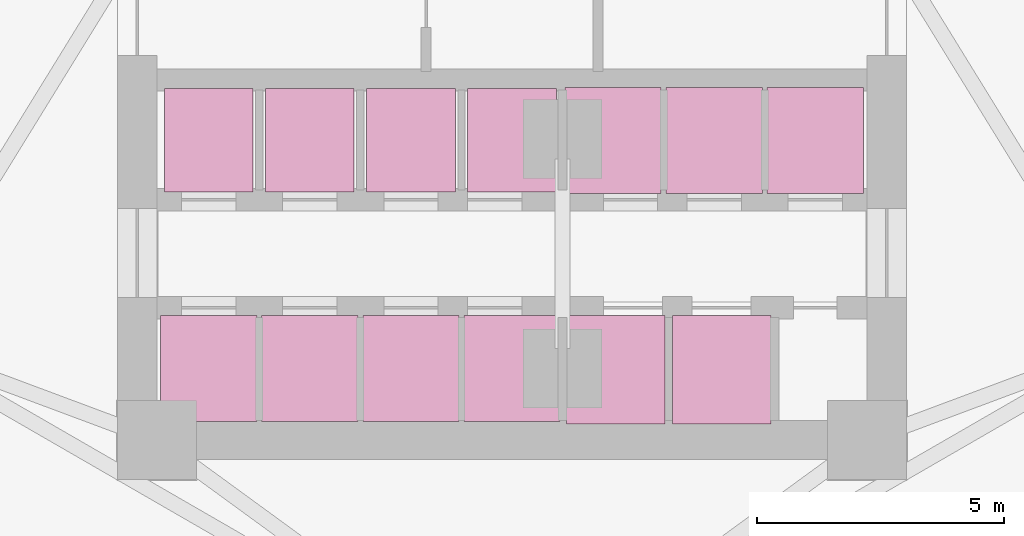
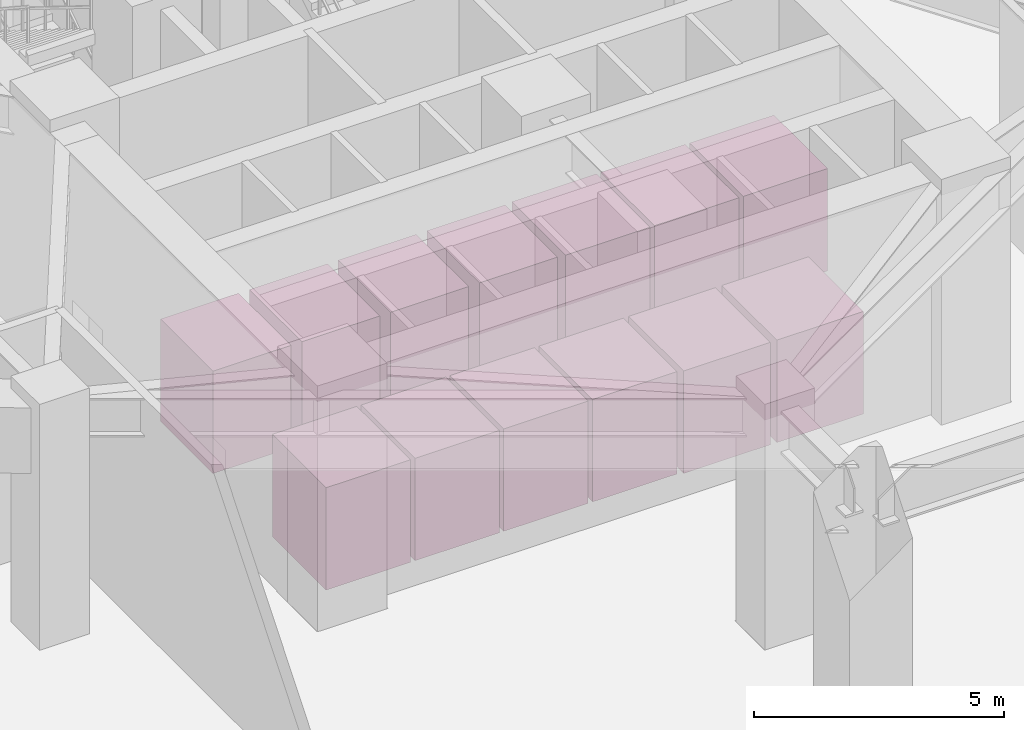
# One storey, part 24 of 24: 13 transport elements.
"""IFC4 building model written with IfcOpenShell, lengths in metres."""

from ifc_helpers import new_model, si_unit, direction, frame, origin, origin_2d, place, context, subcontext, project, spatial, rectangle, extrude, material, type_object, element, save


model = new_model("IFC4")

# Units and contexts
model_context = context("Model", 3, precision=1e-05, world=origin(), true_north=direction((0.0, 1.0)))
body_context = subcontext(model_context, "Body", "Model", "MODEL_VIEW")
ifc_project = project(units=[si_unit("LENGTHUNIT", "METRE"), si_unit("AREAUNIT", "SQUARE_METRE"), si_unit("VOLUMEUNIT", "CUBIC_METRE"), si_unit("PLANEANGLEUNIT", "RADIAN"), si_unit("MASSUNIT", "GRAM", prefix="KILO")], contexts=[model_context])

# Site, building, storey
site_placement = place(None, origin())
site = spatial("IfcSite", under=ifc_project, at=site_placement, CompositionType="ELEMENT")
building_placement = place(site_placement, origin())
building = spatial("IfcBuilding", under=site, at=building_placement, Name="Apsidion Concourse Tower", CompositionType="ELEMENT")
storey_placement = place(building_placement, origin())
storey = spatial("IfcBuildingStorey", under=building, at=storey_placement, Name="L00", CompositionType="ELEMENT", Elevation=0.0)

# Transport elements
ifc_material = material(Name="Brushed stainless steel 316", Category="steel")
transport_element_type_1 = type_object("IfcTransportElementType", Name="LF-CAR-BANK1", PredefinedType="ELEVATOR", material=ifc_material)
for number, where, z_axis, x_axis, name in (
    (1, (-6.14990234375, -3.175048828125, 0.0), (0.0, 0.0, 1.0), (1.0, 0.0, 0.0), "Low-Rise Hotel Passenger Lift P1"),
    (2, (-4.10009765625, -3.175048828125, 0.0), (0.0, 0.0, 1.0), (1.0, 0.0, 0.0), "Low-Rise Hotel Passenger Lift P2"),
    (3, (-2.050048828125, -3.175048828125, 0.0), (0.0, 0.0, 1.0), (1.0, 0.0, 0.0), "Low-Rise Hotel Passenger Lift P3"),
    (4, (0.0, -3.175048828125, 0.0), (0.0, 0.0, 1.0), (1.0, 0.0, 0.0), "Low-Rise Hotel Passenger Lift P4"),
):
    element("IfcTransportElement", number, at=place(storey_placement, frame(where, z_axis=z_axis, x_axis=x_axis)), inside=storey, type_object=transport_element_type_1, Name=name, PredefinedType="ELEVATOR", context=body_context, shape_type="SweptSolid", body=[
        extrude(rectangle(XDim=1.800048828125, YDim=2.10009765625, at=origin_2d()), origin(), (0.0, 0.0, 1.0), 2.5),
    ])
transport_element_type_2 = type_object("IfcTransportElementType", Name="LF-CAR-OFF", PredefinedType="ELEVATOR", material=ifc_material)
for number, where, z_axis, x_axis, name in (
    (5, (2.050048828125, -3.175048828125, 0.0), (0.0, 0.0, 1.0), (1.0, 0.0, 0.0), "High-Rise Office Passenger Lift P9"),
    (6, (4.10009765625, -3.175048828125, 0.0), (0.0, 0.0, 1.0), (1.0, 0.0, 0.0), "High-Rise Office Passenger Lift P10"),
    (7, (6.14990234375, -3.175048828125, 0.0), (0.0, 0.0, 1.0), (1.0, 0.0, 0.0), "High-Rise Office Passenger Lift P11"),
    (8, (-6.14990234375, -7.800048828125, 0.0), (0.0, 0.0, 1.0), (1.0, 0.0, 0.0), "Mid-Rise Office Passenger Lift P5"),
    (9, (-4.10009765625, -7.800048828125, 0.0), (0.0, 0.0, 1.0), (1.0, 0.0, 0.0), "Mid-Rise Office Passenger Lift P6"),
    (10, (-2.050048828125, -7.800048828125, 0.0), (0.0, 0.0, 1.0), (1.0, 0.0, 0.0), "Mid-Rise Office Passenger Lift P7"),
    (11, (0.0, -7.800048828125, 0.0), (0.0, 0.0, 1.0), (1.0, 0.0, 0.0), "Mid-Rise Office Passenger Lift P8"),
):
    element("IfcTransportElement", number, at=place(storey_placement, frame(where, z_axis=z_axis, x_axis=x_axis)), inside=storey, type_object=transport_element_type_2, Name=name, PredefinedType="ELEVATOR", context=body_context, shape_type="SweptSolid", body=[
        extrude(rectangle(XDim=1.949951171875, YDim=2.14990234375, at=origin_2d()), origin(), (0.0, 0.0, 1.0), 2.5),
    ])
transport_element_type_3 = type_object("IfcTransportElementType", Name="LF-CAR-SHUT", PredefinedType="ELEVATOR", material=ifc_material)
for number, where, z_axis, x_axis, name in (
    (12, (2.10009765625, -7.824951171875, 0.0), (0.0, 0.0, 1.0), (1.0, 0.0, 0.0), "Observatory Express Shuttle Lift P12"),
    (13, (4.25, -7.824951171875, 0.0), (0.0, 0.0, 1.0), (1.0, 0.0, 0.0), "Observatory Express Shuttle Lift P13"),
):
    element("IfcTransportElement", number, at=place(storey_placement, frame(where, z_axis=z_axis, x_axis=x_axis)), inside=storey, type_object=transport_element_type_3, Name=name, PredefinedType="ELEVATOR", context=body_context, shape_type="SweptSolid", body=[
        extrude(rectangle(XDim=2.0, YDim=2.199951171875, at=origin_2d()), origin(), (0.0, 0.0, 1.0), 2.5),
    ])

save(model, "model.ifc")
